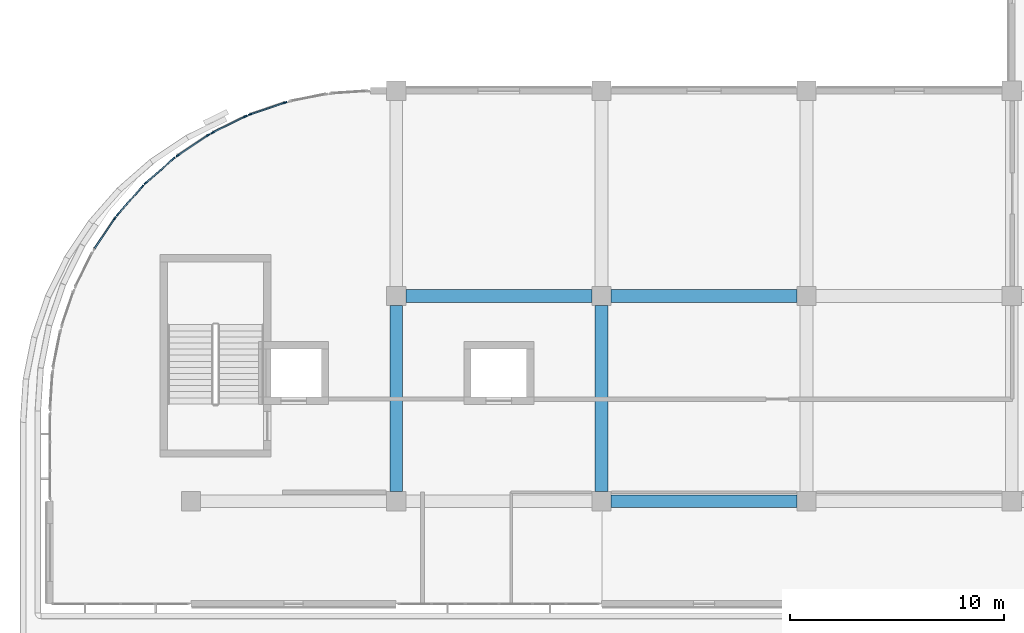
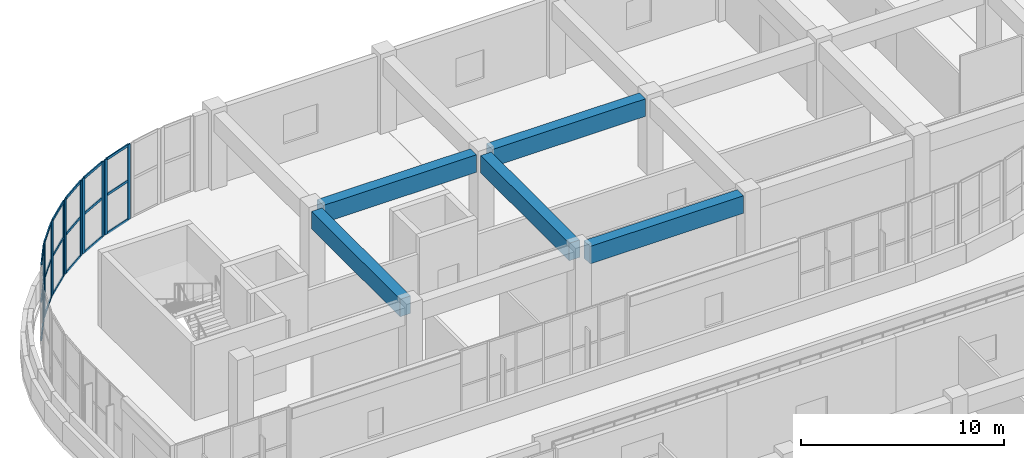
# One storey, part 24 of 96: 29 members, 5 beams, 6 elements without a shape of their own.
"""IFC4 building model written with IfcOpenShell, lengths in metres."""

from ifc_helpers import new_model, si_unit, direction, frame, origin, origin_2d, place, context, subcontext, project, spatial, rectangle, extrude, material, layer, layer_set, material_profile, profile_set, type_object, element, aggregate, save


model = new_model("IFC4")

# Units and contexts
model_context = context("Model", 3, precision=1e-05, world=origin(), true_north=direction((0.0, 1.0)))
body_context = subcontext(model_context, "Body", "Model", "MODEL_VIEW")
ifc_project = project(units=[si_unit("LENGTHUNIT", "METRE"), si_unit("AREAUNIT", "SQUARE_METRE"), si_unit("VOLUMEUNIT", "CUBIC_METRE"), si_unit("PLANEANGLEUNIT", "RADIAN"), si_unit("MASSUNIT", "GRAM", prefix="KILO")], contexts=[model_context])

# Site, building, storey
site_placement = place(None, origin())
site = spatial("IfcSite", under=ifc_project, at=site_placement, CompositionType="ELEMENT")
building_placement = place(site_placement, origin())
building = spatial("IfcBuilding", under=site, at=building_placement, Name="Cendralis Terraced Arcade", CompositionType="ELEMENT")
storey_placement = place(building_placement, frame((0.0, 0.0, 10.199951171875)))
storey = spatial("IfcBuildingStorey", under=building, at=storey_placement, Name="L02", CompositionType="ELEMENT", Elevation=10.199951171875)

# Beams
ifc_material_1 = material(Name="Concrete f'c 35 MPa", Category="concrete")
ifc_material_profile_1 = material_profile(ifc_material_1, rectangle(XDim=0.60009765625, YDim=1.050048828125, at=origin_2d()), Name="RC-BM-600x1050", Category="LoadBearing")
ifc_profile_set_1 = profile_set([ifc_material_profile_1], Name="Concrete f'c 35 MPa")
beam_type = type_object("IfcBeamType", Name="BM-600x1050", PredefinedType="JOIST", material=ifc_profile_set_1)
beam_1_placement = place(storey_placement, frame((29.25, 69.60009765625, 3.989990234375), z_axis=(1.0, 0.0, 0.0), x_axis=(0.0, 1.0, 0.0)))
element("IfcBeam", 1, at=beam_1_placement, inside=storey, type_object=beam_type, Name="Reinforced Concrete Frame Beam BM-X-L03-H-4_5", PredefinedType="JOIST", context=body_context, shape_type="SweptSolid", body=[
    extrude(rectangle(XDim=0.60009765625, YDim=1.050048828125, at=origin_2d()), origin(), (0.0, 0.0, 1.0), 8.699951171875),
])
beam_2_placement = place(storey_placement, frame((19.64990234375, 79.199951171875, 3.989990234375), z_axis=(1.0, 0.0, 0.0), x_axis=(0.0, 1.0, 0.0)))
element("IfcBeam", 2, at=beam_2_placement, inside=storey, type_object=beam_type, Name="Reinforced Concrete Frame Beam BM-X-L03-J-3_4", PredefinedType="JOIST", context=body_context, shape_type="SweptSolid", body=[
    extrude(rectangle(XDim=0.60009765625, YDim=1.050048828125, at=origin_2d()), origin(), (0.0, 0.0, 1.0), 8.7001953125),
])
for number, where, z_axis, x_axis, name in (
    (3, (29.25, 79.199951171875, 3.989990234375), (1.0, 0.0, 0.0), (0.0, 1.0, 0.0), "Reinforced Concrete Frame Beam BM-X-L03-J-4_5"),
    (4, (19.199951171875, 70.050048828125, 3.989990234375), (0.0, 1.0, 0.0), (-1.0, 0.0, 0.0), "Reinforced Concrete Frame Beam BM-Y-L03-3-H_J"),
    (5, (28.800048828125, 70.050048828125, 3.989990234375), (0.0, 1.0, 0.0), (-1.0, 0.0, 0.0), "Reinforced Concrete Frame Beam BM-Y-L03-4-H_J"),
):
    element("IfcBeam", number, at=place(storey_placement, frame(where, z_axis=z_axis, x_axis=x_axis)), inside=storey, type_object=beam_type, Name=name, PredefinedType="JOIST", context=body_context, shape_type="SweptSolid", body=[
        extrude(rectangle(XDim=0.60009765625, YDim=1.050048828125, at=origin_2d()), origin(), (0.0, 0.0, 1.0), 8.699951171875),
    ])

# Curtain wall, member
ifc_material_2 = material(Name="Anodised aluminium EN AW-6063 T6", Category="aluminium")
ifc_layer = layer(ifc_material_2, 0.179931640625, Name="CW-UNIT-A")
ifc_layer_set = layer_set([ifc_layer], Name="Anodised aluminium EN AW-6063 T6")
curtain_wall_type = type_object("IfcCurtainWallType", Name="CW-UNIT-A", PredefinedType="USERDEFINED", material=ifc_layer_set)
curtain_wall_1_placement = place(storey_placement, origin())
curtain_wall_1 = element("IfcCurtainWall", 6, at=curtain_wall_1_placement, inside=storey, type_object=curtain_wall_type, Name="Exterior Unitised Facade CW-L02-0135", ObjectType="UNITISED FACADE", PredefinedType="USERDEFINED")
ifc_material_profile_2 = material_profile(ifc_material_2, rectangle(XDim=0.06494140625, YDim=0.179931640625, at=origin_2d()), Name="ALU-MUL-65x180")
ifc_profile_set_2 = profile_set([ifc_material_profile_2], Name="Anodised aluminium EN AW-6063 T6")
member_type_1 = type_object("IfcMemberType", Name="CW-UNIT-A-MUL", PredefinedType="MULLION", material=ifc_profile_set_2)
member_1_placement = place(storey_placement, frame((6.03173828125, 82.82958984375, 0.0), z_axis=(0.0, 0.0, 1.0), x_axis=(-0.831471454125, 0.555567476528, 0.0)))
member_1 = element("IfcMember", 7, at=member_1_placement, type_object=member_type_1, Name="CW-U1 mullion 2", PredefinedType="MULLION", context=body_context, shape_type="SweptSolid", body=[
    extrude(rectangle(XDim=0.06494140625, YDim=0.179931640625, at=origin_2d()), origin(), (0.0, 0.0, 1.0), 4.51513671875),
])

# Curtain wall, members
curtain_wall_2_placement = place(storey_placement, origin())
curtain_wall_2 = element("IfcCurtainWall", 8, at=curtain_wall_2_placement, inside=storey, type_object=curtain_wall_type, Name="Exterior Unitised Facade CW-L02-0136", ObjectType="UNITISED FACADE", PredefinedType="USERDEFINED")
member_2_placement = place(storey_placement, frame((6.180419921875, 83.0234375, 0.0), z_axis=(0.0, 0.0, 1.0), x_axis=(-0.751804497477, 0.659386076266, 0.0)))
member_2 = element("IfcMember", 9, at=member_2_placement, type_object=member_type_1, Name="CW-U1 mullion 1", PredefinedType="MULLION", context=body_context, shape_type="SweptSolid", body=[
    extrude(rectangle(XDim=0.06494140625, YDim=0.179931640625, at=origin_2d()), origin(), (0.0, 0.0, 1.0), 4.51513671875),
])
member_3_placement = place(storey_placement, frame((7.312744140625, 84.314453125, 0.0), z_axis=(0.0, 0.0, 1.0), x_axis=(-0.751804497477, 0.659386076266, 0.0)))
member_3 = element("IfcMember", 10, at=member_3_placement, type_object=member_type_1, Name="CW-U1 mullion 2", PredefinedType="MULLION", context=body_context, shape_type="SweptSolid", body=[
    extrude(rectangle(XDim=0.06494140625, YDim=0.179931640625, at=origin_2d()), origin(), (0.0, 0.0, 1.0), 4.51513671875),
])

curtain_wall_3_placement = place(storey_placement, origin())
curtain_wall_3 = element("IfcCurtainWall", 11, at=curtain_wall_3_placement, inside=storey, type_object=curtain_wall_type, Name="Exterior Unitised Facade CW-L02-0137", ObjectType="UNITISED FACADE", PredefinedType="USERDEFINED")
member_4_placement = place(storey_placement, frame((7.485595703125, 84.4873046875, 0.0), z_axis=(0.0, 0.0, 1.0), x_axis=(-0.659386076266, 0.751804497477, 0.0)))
member_4 = element("IfcMember", 12, at=member_4_placement, type_object=member_type_1, Name="CW-U1 mullion 1", PredefinedType="MULLION", context=body_context, shape_type="SweptSolid", body=[
    extrude(rectangle(XDim=0.06494140625, YDim=0.179931640625, at=origin_2d()), origin(), (0.0, 0.0, 1.0), 4.51513671875),
])
member_5_placement = place(storey_placement, frame((8.7763671875, 85.61962890625, 0.0), z_axis=(0.0, 0.0, 1.0), x_axis=(-0.659386076266, 0.751804497477, 0.0)))
member_5 = element("IfcMember", 13, at=member_5_placement, type_object=member_type_1, Name="CW-U1 mullion 2", PredefinedType="MULLION", context=body_context, shape_type="SweptSolid", body=[
    extrude(rectangle(XDim=0.06494140625, YDim=0.179931640625, at=origin_2d()), origin(), (0.0, 0.0, 1.0), 4.51513671875),
])

curtain_wall_4_placement = place(storey_placement, origin())
curtain_wall_4 = element("IfcCurtainWall", 14, at=curtain_wall_4_placement, inside=storey, type_object=curtain_wall_type, Name="Exterior Unitised Facade CW-L02-0138", ObjectType="UNITISED FACADE", PredefinedType="USERDEFINED")
member_6_placement = place(storey_placement, frame((8.970458984375, 85.768310546875, 0.0), z_axis=(0.0, 0.0, 1.0), x_axis=(-0.555567476528, 0.831471454125, 0.0)))
member_6 = element("IfcMember", 15, at=member_6_placement, type_object=member_type_1, Name="CW-U1 mullion 1", PredefinedType="MULLION", context=body_context, shape_type="SweptSolid", body=[
    extrude(rectangle(XDim=0.06494140625, YDim=0.179931640625, at=origin_2d()), origin(), (0.0, 0.0, 1.0), 4.51513671875),
])
member_7_placement = place(storey_placement, frame((10.398193359375, 86.722412109375, 0.0), z_axis=(0.0, 0.0, 1.0), x_axis=(-0.555567476528, 0.831471454125, 0.0)))
member_7 = element("IfcMember", 16, at=member_7_placement, type_object=member_type_1, Name="CW-U1 mullion 2", PredefinedType="MULLION", context=body_context, shape_type="SweptSolid", body=[
    extrude(rectangle(XDim=0.06494140625, YDim=0.179931640625, at=origin_2d()), origin(), (0.0, 0.0, 1.0), 4.51513671875),
])

curtain_wall_5_placement = place(storey_placement, origin())
curtain_wall_5 = element("IfcCurtainWall", 17, at=curtain_wall_5_placement, inside=storey, type_object=curtain_wall_type, Name="Exterior Unitised Facade CW-L02-0139", ObjectType="UNITISED FACADE", PredefinedType="USERDEFINED")
member_8_placement = place(storey_placement, frame((10.60986328125, 86.844482421875, 0.0), z_axis=(0.0, 0.0, 1.0), x_axis=(-0.442291247495, 0.896871480419, 0.0)))
member_8 = element("IfcMember", 18, at=member_8_placement, type_object=member_type_1, Name="CW-U1 mullion 1", PredefinedType="MULLION", context=body_context, shape_type="SweptSolid", body=[
    extrude(rectangle(XDim=0.06494140625, YDim=0.179931640625, at=origin_2d()), origin(), (0.0, 0.0, 1.0), 4.51513671875),
])
member_9_placement = place(storey_placement, frame((12.14990234375, 87.60400390625, 0.0), z_axis=(0.0, 0.0, 1.0), x_axis=(-0.442291247495, 0.896871480419, 0.0)))
member_9 = element("IfcMember", 19, at=member_9_placement, type_object=member_type_1, Name="CW-U1 mullion 2", PredefinedType="MULLION", context=body_context, shape_type="SweptSolid", body=[
    extrude(rectangle(XDim=0.06494140625, YDim=0.179931640625, at=origin_2d()), origin(), (0.0, 0.0, 1.0), 4.51513671875),
])

curtain_wall_6_placement = place(storey_placement, origin())
curtain_wall_6 = element("IfcCurtainWall", 20, at=curtain_wall_6_placement, inside=storey, type_object=curtain_wall_type, Name="Exterior Unitised Facade CW-L02-0140", ObjectType="UNITISED FACADE", PredefinedType="USERDEFINED")
member_10_placement = place(storey_placement, frame((12.375732421875, 87.697509765625, 0.0), z_axis=(0.0, 0.0, 1.0), x_axis=(-0.321458077458, 0.946923811316, 0.0)))
member_10 = element("IfcMember", 21, at=member_10_placement, type_object=member_type_1, Name="CW-U1 mullion 1", PredefinedType="MULLION", context=body_context, shape_type="SweptSolid", body=[
    extrude(rectangle(XDim=0.06494140625, YDim=0.179931640625, at=origin_2d()), origin(), (0.0, 0.0, 1.0), 4.51513671875),
])
member_11_placement = place(storey_placement, frame((14.001708984375, 88.24951171875, 0.0), z_axis=(0.0, 0.0, 1.0), x_axis=(-0.321458077458, 0.946923811316, 0.0)))
member_11 = element("IfcMember", 22, at=member_11_placement, type_object=member_type_1, Name="CW-U1 mullion 2", PredefinedType="MULLION", context=body_context, shape_type="SweptSolid", body=[
    extrude(rectangle(XDim=0.06494140625, YDim=0.179931640625, at=origin_2d()), origin(), (0.0, 0.0, 1.0), 4.51513671875),
])

# Member
ifc_material_profile_3 = material_profile(ifc_material_2, rectangle(XDim=0.06494140625, YDim=0.14990234375, at=origin_2d()), Name="ALU-TRN-65x150")
ifc_profile_set_3 = profile_set([ifc_material_profile_3], Name="Anodised aluminium EN AW-6063 T6")
member_type_2 = type_object("IfcMemberType", Name="CW-UNIT-A-TRN", PredefinedType="USERDEFINED", material=ifc_profile_set_3)
member_12_placement = place(storey_placement, frame((5.095703125, 81.428955078125, 0.032470703125), z_axis=(0.555654720391, 0.831413153436, 0.0), x_axis=(-0.831413153436, 0.555654720391, 0.0)))
member_12 = element("IfcMember", 23, at=member_12_placement, type_object=member_type_2, Name="CW-U1 transom 1.1", ObjectType="TRANSOM", PredefinedType="USERDEFINED", context=body_context, shape_type="SweptSolid", body=[
    extrude(rectangle(XDim=0.06494140625, YDim=0.14990234375, at=origin_2d()), origin(), (0.0, 0.0, 1.0), 1.652099609375),
])

member_13_placement = place(storey_placement, frame((5.095703125, 81.428955078125, 2.347900390625), z_axis=(0.555654720391, 0.831413153436, 0.0), x_axis=(-0.831413153436, 0.555654720391, 0.0)))
member_13 = element("IfcMember", 24, at=member_13_placement, type_object=member_type_2, Name="CW-U1 transom 1.2", ObjectType="TRANSOM", PredefinedType="USERDEFINED", context=body_context, shape_type="SweptSolid", body=[
    extrude(rectangle(XDim=0.06494140625, YDim=0.14990234375, at=origin_2d()), origin(), (0.0, 0.0, 1.0), 1.652099609375),
])

member_14_placement = place(storey_placement, frame((5.095703125, 81.428955078125, 4.482666015625), z_axis=(0.555654720391, 0.831413153436, 0.0), x_axis=(-0.831413153436, 0.555654720391, 0.0)))
member_14 = element("IfcMember", 25, at=member_14_placement, type_object=member_type_2, Name="CW-U1 transom 1.3", ObjectType="TRANSOM", PredefinedType="USERDEFINED", context=body_context, shape_type="SweptSolid", body=[
    extrude(rectangle(XDim=0.06494140625, YDim=0.14990234375, at=origin_2d()), origin(), (0.0, 0.0, 1.0), 1.652099609375),
])

aggregate(curtain_wall_1, [member_1, member_12, member_13, member_14])

member_15_placement = place(storey_placement, frame((6.201904296875, 83.0478515625, 0.032470703125), z_axis=(0.659341117172, 0.751843927425, 0.0), x_axis=(-0.751843927425, 0.659341117172, 0.0)))
member_15 = element("IfcMember", 26, at=member_15_placement, type_object=member_type_2, Name="CW-U1 transom 1.1", ObjectType="TRANSOM", PredefinedType="USERDEFINED", context=body_context, shape_type="SweptSolid", body=[
    extrude(rectangle(XDim=0.06494140625, YDim=0.14990234375, at=origin_2d()), origin(), (0.0, 0.0, 1.0), 1.652099609375),
])

member_16_placement = place(storey_placement, frame((6.201904296875, 83.0478515625, 2.347900390625), z_axis=(0.659341117172, 0.751843927425, 0.0), x_axis=(-0.751843927425, 0.659341117172, 0.0)))
member_16 = element("IfcMember", 27, at=member_16_placement, type_object=member_type_2, Name="CW-U1 transom 1.2", ObjectType="TRANSOM", PredefinedType="USERDEFINED", context=body_context, shape_type="SweptSolid", body=[
    extrude(rectangle(XDim=0.06494140625, YDim=0.14990234375, at=origin_2d()), origin(), (0.0, 0.0, 1.0), 1.652099609375),
])

member_17_placement = place(storey_placement, frame((6.201904296875, 83.0478515625, 4.482666015625), z_axis=(0.659341117172, 0.751843927425, 0.0), x_axis=(-0.751843927425, 0.659341117172, 0.0)))
member_17 = element("IfcMember", 28, at=member_17_placement, type_object=member_type_2, Name="CW-U1 transom 1.3", ObjectType="TRANSOM", PredefinedType="USERDEFINED", context=body_context, shape_type="SweptSolid", body=[
    extrude(rectangle(XDim=0.06494140625, YDim=0.14990234375, at=origin_2d()), origin(), (0.0, 0.0, 1.0), 1.652099609375),
])

aggregate(curtain_wall_2, [member_2, member_3, member_15, member_16, member_17])

member_18_placement = place(storey_placement, frame((7.510009765625, 84.5087890625, 0.032470703125), z_axis=(0.751779677402, 0.659414374006, 0.0), x_axis=(-0.659414374006, 0.751779677402, 0.0)))
member_18 = element("IfcMember", 29, at=member_18_placement, type_object=member_type_2, Name="CW-U1 transom 1.1", ObjectType="TRANSOM", PredefinedType="USERDEFINED", context=body_context, shape_type="SweptSolid", body=[
    extrude(rectangle(XDim=0.06494140625, YDim=0.14990234375, at=origin_2d()), origin(), (0.0, 0.0, 1.0), 1.652099609375),
])

member_19_placement = place(storey_placement, frame((7.510009765625, 84.5087890625, 2.347900390625), z_axis=(0.751779677402, 0.659414374006, 0.0), x_axis=(-0.659414374006, 0.751779677402, 0.0)))
member_19 = element("IfcMember", 30, at=member_19_placement, type_object=member_type_2, Name="CW-U1 transom 1.2", ObjectType="TRANSOM", PredefinedType="USERDEFINED", context=body_context, shape_type="SweptSolid", body=[
    extrude(rectangle(XDim=0.06494140625, YDim=0.14990234375, at=origin_2d()), origin(), (0.0, 0.0, 1.0), 1.652099609375),
])

member_20_placement = place(storey_placement, frame((7.510009765625, 84.5087890625, 4.482666015625), z_axis=(0.751779677402, 0.659414374006, 0.0), x_axis=(-0.659414374006, 0.751779677402, 0.0)))
member_20 = element("IfcMember", 31, at=member_20_placement, type_object=member_type_2, Name="CW-U1 transom 1.3", ObjectType="TRANSOM", PredefinedType="USERDEFINED", context=body_context, shape_type="SweptSolid", body=[
    extrude(rectangle(XDim=0.06494140625, YDim=0.14990234375, at=origin_2d()), origin(), (0.0, 0.0, 1.0), 1.652099609375),
])

aggregate(curtain_wall_3, [member_4, member_5, member_18, member_19, member_20])

member_21_placement = place(storey_placement, frame((8.99755859375, 85.786376953125, 0.032470703125), z_axis=(0.831413153436, 0.555654720391, 0.0), x_axis=(-0.555654720391, 0.831413153436, 0.0)))
member_21 = element("IfcMember", 32, at=member_21_placement, type_object=member_type_2, Name="CW-U1 transom 1.1", ObjectType="TRANSOM", PredefinedType="USERDEFINED", context=body_context, shape_type="SweptSolid", body=[
    extrude(rectangle(XDim=0.06494140625, YDim=0.14990234375, at=origin_2d()), origin(), (0.0, 0.0, 1.0), 1.652099609375),
])

member_22_placement = place(storey_placement, frame((8.99755859375, 85.786376953125, 2.347900390625), z_axis=(0.831413153436, 0.555654720391, 0.0), x_axis=(-0.555654720391, 0.831413153436, 0.0)))
member_22 = element("IfcMember", 33, at=member_22_placement, type_object=member_type_2, Name="CW-U1 transom 1.2", ObjectType="TRANSOM", PredefinedType="USERDEFINED", context=body_context, shape_type="SweptSolid", body=[
    extrude(rectangle(XDim=0.06494140625, YDim=0.14990234375, at=origin_2d()), origin(), (0.0, 0.0, 1.0), 1.652099609375),
])

member_23_placement = place(storey_placement, frame((8.99755859375, 85.786376953125, 4.482666015625), z_axis=(0.831413153436, 0.555654720391, 0.0), x_axis=(-0.555654720391, 0.831413153436, 0.0)))
member_23 = element("IfcMember", 34, at=member_23_placement, type_object=member_type_2, Name="CW-U1 transom 1.3", ObjectType="TRANSOM", PredefinedType="USERDEFINED", context=body_context, shape_type="SweptSolid", body=[
    extrude(rectangle(XDim=0.06494140625, YDim=0.14990234375, at=origin_2d()), origin(), (0.0, 0.0, 1.0), 1.652099609375),
])

aggregate(curtain_wall_4, [member_6, member_7, member_21, member_22, member_23])

member_24_placement = place(storey_placement, frame((10.638916015625, 86.85888671875, 0.032470703125), z_axis=(0.896866855431, 0.442300625853, 0.0), x_axis=(-0.442300625853, 0.896866855431, 0.0)))
member_24 = element("IfcMember", 35, at=member_24_placement, type_object=member_type_2, Name="CW-U1 transom 1.1", ObjectType="TRANSOM", PredefinedType="USERDEFINED", context=body_context, shape_type="SweptSolid", body=[
    extrude(rectangle(XDim=0.06494140625, YDim=0.14990234375, at=origin_2d()), origin(), (0.0, 0.0, 1.0), 1.652099609375),
])

member_25_placement = place(storey_placement, frame((10.638916015625, 86.85888671875, 2.347900390625), z_axis=(0.896866855431, 0.442300625853, 0.0), x_axis=(-0.442300625853, 0.896866855431, 0.0)))
member_25 = element("IfcMember", 36, at=member_25_placement, type_object=member_type_2, Name="CW-U1 transom 1.2", ObjectType="TRANSOM", PredefinedType="USERDEFINED", context=body_context, shape_type="SweptSolid", body=[
    extrude(rectangle(XDim=0.06494140625, YDim=0.14990234375, at=origin_2d()), origin(), (0.0, 0.0, 1.0), 1.652099609375),
])

member_26_placement = place(storey_placement, frame((10.638916015625, 86.85888671875, 4.482666015625), z_axis=(0.896866855431, 0.442300625853, 0.0), x_axis=(-0.442300625853, 0.896866855431, 0.0)))
member_26 = element("IfcMember", 37, at=member_26_placement, type_object=member_type_2, Name="CW-U1 transom 1.3", ObjectType="TRANSOM", PredefinedType="USERDEFINED", context=body_context, shape_type="SweptSolid", body=[
    extrude(rectangle(XDim=0.06494140625, YDim=0.14990234375, at=origin_2d()), origin(), (0.0, 0.0, 1.0), 1.652099609375),
])

aggregate(curtain_wall_5, [member_8, member_9, member_24, member_25, member_26])

member_27_placement = place(storey_placement, frame((12.406494140625, 87.7080078125, 0.032470703125), z_axis=(0.94694015461, 0.321409930755, 0.0), x_axis=(-0.321409930755, 0.94694015461, 0.0)))
member_27 = element("IfcMember", 38, at=member_27_placement, type_object=member_type_2, Name="CW-U1 transom 1.1", ObjectType="TRANSOM", PredefinedType="USERDEFINED", context=body_context, shape_type="SweptSolid", body=[
    extrude(rectangle(XDim=0.06494140625, YDim=0.14990234375, at=origin_2d()), origin(), (0.0, 0.0, 1.0), 1.652099609375),
])

member_28_placement = place(storey_placement, frame((12.406494140625, 87.7080078125, 2.347900390625), z_axis=(0.94694015461, 0.321409930755, 0.0), x_axis=(-0.321409930755, 0.94694015461, 0.0)))
member_28 = element("IfcMember", 39, at=member_28_placement, type_object=member_type_2, Name="CW-U1 transom 1.2", ObjectType="TRANSOM", PredefinedType="USERDEFINED", context=body_context, shape_type="SweptSolid", body=[
    extrude(rectangle(XDim=0.06494140625, YDim=0.14990234375, at=origin_2d()), origin(), (0.0, 0.0, 1.0), 1.652099609375),
])

member_29_placement = place(storey_placement, frame((12.406494140625, 87.7080078125, 4.482666015625), z_axis=(0.94694015461, 0.321409930755, 0.0), x_axis=(-0.321409930755, 0.94694015461, 0.0)))
member_29 = element("IfcMember", 40, at=member_29_placement, type_object=member_type_2, Name="CW-U1 transom 1.3", ObjectType="TRANSOM", PredefinedType="USERDEFINED", context=body_context, shape_type="SweptSolid", body=[
    extrude(rectangle(XDim=0.06494140625, YDim=0.14990234375, at=origin_2d()), origin(), (0.0, 0.0, 1.0), 1.652099609375),
])

aggregate(curtain_wall_6, [member_10, member_11, member_27, member_28, member_29])

save(model, "model.ifc")
